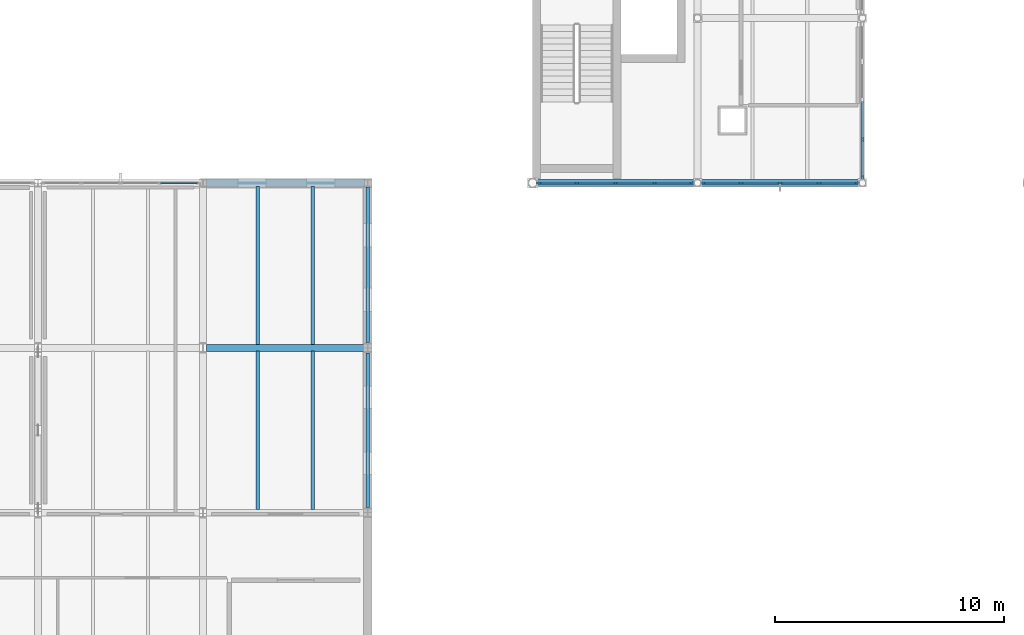
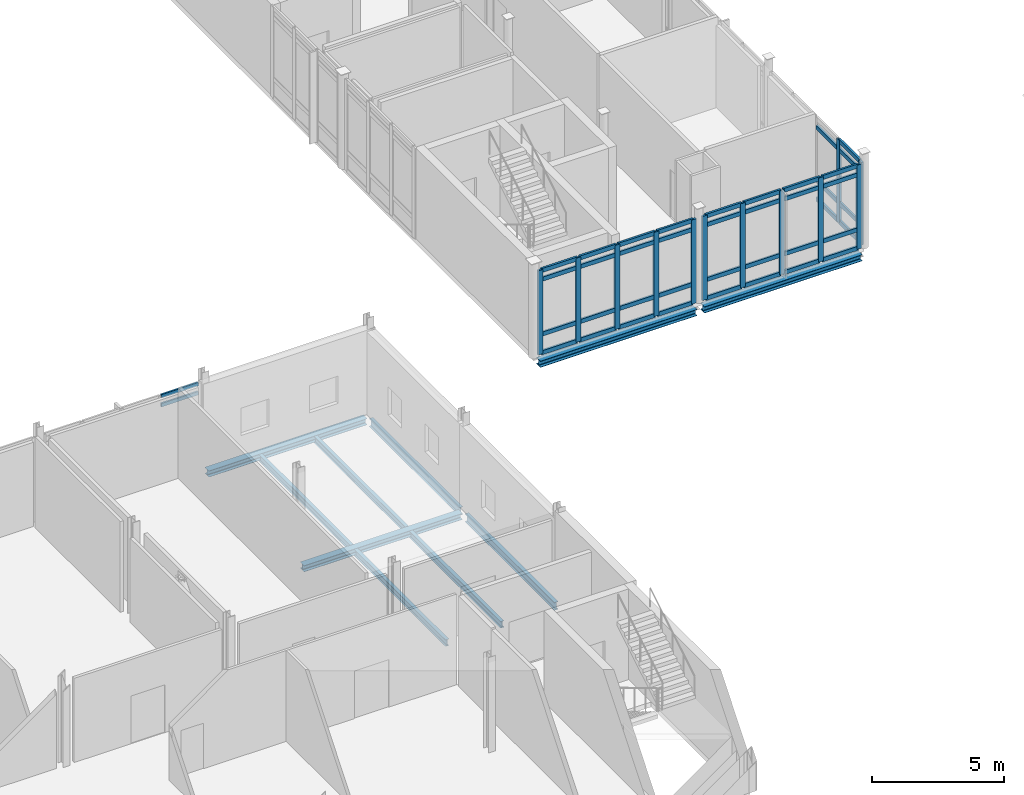
# One storey, part 22 of 76: 53 members, 10 beams, 4 elements without a shape of their own.
"""IFC4 building model written with IfcOpenShell, lengths in metres."""

from ifc_helpers import new_model, si_unit, direction, frame, origin, origin_2d, place, context, subcontext, project, spatial, rectangle, i_section, extrude, material, layer, layer_set, material_profile, profile_set, type_object, element, aggregate, save


model = new_model("IFC4")

# Units and contexts
model_context = context("Model", 3, precision=1e-05, world=origin(), true_north=direction((0.0, 1.0)))
body_context = subcontext(model_context, "Body", "Model", "MODEL_VIEW")
ifc_project = project(units=[si_unit("LENGTHUNIT", "METRE"), si_unit("AREAUNIT", "SQUARE_METRE"), si_unit("VOLUMEUNIT", "CUBIC_METRE"), si_unit("PLANEANGLEUNIT", "RADIAN"), si_unit("MASSUNIT", "GRAM", prefix="KILO")], contexts=[model_context])

# Site, building, storey
site_placement = place(None, origin())
site = spatial("IfcSite", under=ifc_project, at=site_placement, CompositionType="ELEMENT")
building_placement = place(site_placement, origin())
building = spatial("IfcBuilding", under=site, at=building_placement, Name="Zarrinpeak Specialist Clinic", CompositionType="ELEMENT")
storey_placement = place(building_placement, frame((0.0, 0.0, 5.199951171875)))
storey = spatial("IfcBuildingStorey", under=building, at=storey_placement, Name="L01", CompositionType="ELEMENT", Elevation=5.199951171875)

# Beams
ifc_material_1 = material(Name="Steel S355", Category="steel")
ifc_material_profile_1 = material_profile(ifc_material_1, i_section(OverallWidth=0.300048828125, OverallDepth=0.2900390625, WebThickness=0.008544921875, FlangeThickness=0.013916015625, FilletRadius=0.027099609375, at=origin_2d()), Name="HEA 300")
ifc_profile_set_1 = profile_set([ifc_material_profile_1], Name="Steel S355")
beam_type_1 = type_object("IfcBeamType", Name="BM-HEA300", PredefinedType="BEAM", material=ifc_profile_set_1)
for number, where, z_axis, x_axis, name in (
    (1, (79.347900390625, 21.60009765625, -0.375), (1.0, 0.0, 0.0), (0.0, 1.0, 0.0), "L01 Primary Floor Girder BM-L01-X0750"),
    (2, (79.347900390625, 28.800048828125, -0.375), (1.0, 0.0, 0.0), (0.0, 1.0, 0.0), "L01 Primary Floor Girder BM-L01-X0762"),
):
    element("IfcBeam", number, at=place(storey_placement, frame(where, z_axis=z_axis, x_axis=x_axis)), inside=storey, type_object=beam_type_1, Name=name, PredefinedType="BEAM", context=body_context, shape_type="SweptSolid", body=[
        extrude(i_section(OverallWidth=0.300048828125, OverallDepth=0.2900390625, WebThickness=0.008544921875, FlangeThickness=0.013916015625, FilletRadius=0.027099609375, at=origin_2d()), origin(), (0.0, 0.0, 1.0), 6.904052734375),
    ])
beam_1_placement = place(storey_placement, frame((93.80126953125, 28.800048828125, -0.375), z_axis=(1.0, 0.0, 0.0), x_axis=(0.0, 1.0, 0.0)))
element("IfcBeam", 3, at=beam_1_placement, inside=storey, type_object=beam_type_1, Name="L01 Primary Floor Girder BM-L01-X0763", PredefinedType="BEAM", context=body_context, shape_type="SweptSolid", body=[
    extrude(i_section(OverallWidth=0.300048828125, OverallDepth=0.2900390625, WebThickness=0.008544921875, FlangeThickness=0.013916015625, FilletRadius=0.027099609375, at=origin_2d()), origin(), (0.0, 0.0, 1.0), 6.838623046875),
])
beam_2_placement = place(storey_placement, frame((100.9599609375, 28.800048828125, -0.375), z_axis=(1.0, 0.0, 0.0), x_axis=(0.0, 1.0, 0.0)))
element("IfcBeam", 4, at=beam_2_placement, inside=storey, type_object=beam_type_1, Name="L01 Primary Floor Girder BM-L01-X0764", PredefinedType="BEAM", context=body_context, shape_type="SweptSolid", body=[
    extrude(i_section(OverallWidth=0.300048828125, OverallDepth=0.2900390625, WebThickness=0.008544921875, FlangeThickness=0.013916015625, FilletRadius=0.027099609375, at=origin_2d()), origin(), (0.0, 0.0, 1.0), 6.880126953125),
])
ifc_material_profile_2 = material_profile(ifc_material_1, i_section(OverallWidth=0.14990234375, OverallDepth=0.300048828125, WebThickness=0.007080078125, FlangeThickness=0.0107421875, FilletRadius=0.014892578125, at=origin_2d()), Name="IPE 300")
ifc_profile_set_2 = profile_set([ifc_material_profile_2], Name="Steel S355")
beam_type_2 = type_object("IfcBeamType", Name="BM-JST300", PredefinedType="JOIST", material=ifc_profile_set_2)
for number, where, z_axis, x_axis, name in (
    (5, (81.60009765625, 14.548095703125, -0.3798828125), (0.0, 1.0, 0.0), (-1.0, 0.0, 0.0), "L01 Composite Floor Joist JST-L01-1025"),
    (6, (84.0, 14.548095703125, -0.3798828125), (0.0, 1.0, 0.0), (-1.0, 0.0, 0.0), "L01 Composite Floor Joist JST-L01-1026"),
):
    element("IfcBeam", number, at=place(storey_placement, frame(where, z_axis=z_axis, x_axis=x_axis)), inside=storey, type_object=beam_type_2, Name=name, PredefinedType="JOIST", context=body_context, shape_type="SweptSolid", body=[
        extrude(i_section(OverallWidth=0.14990234375, OverallDepth=0.300048828125, WebThickness=0.007080078125, FlangeThickness=0.0107421875, FilletRadius=0.014892578125, at=origin_2d()), origin(), (0.0, 0.0, 1.0), 6.90380859375),
    ])
for number, where, z_axis, x_axis, name in (
    (7, (81.60009765625, 21.748046875, -0.3798828125), (0.0, 1.0, 0.0), (-1.0, 0.0, 0.0), "L01 Composite Floor Joist JST-L01-1027"),
    (8, (84.0, 21.748046875, -0.3798828125), (0.0, 1.0, 0.0), (-1.0, 0.0, 0.0), "L01 Composite Floor Joist JST-L01-1028"),
):
    element("IfcBeam", number, at=place(storey_placement, frame(where, z_axis=z_axis, x_axis=x_axis)), inside=storey, type_object=beam_type_2, Name=name, PredefinedType="JOIST", context=body_context, shape_type="SweptSolid", body=[
        extrude(i_section(OverallWidth=0.14990234375, OverallDepth=0.300048828125, WebThickness=0.007080078125, FlangeThickness=0.0107421875, FilletRadius=0.014892578125, at=origin_2d()), origin(), (0.0, 0.0, 1.0), 6.904052734375),
    ])
ifc_material_profile_3 = material_profile(ifc_material_1, i_section(OverallWidth=0.169921875, OverallDepth=0.360107421875, WebThickness=0.008056640625, FlangeThickness=0.0126953125, FilletRadius=0.01806640625, at=origin_2d()), Name="IPE 360")
ifc_profile_set_3 = profile_set([ifc_material_profile_3], Name="Steel S355")
beam_type_3 = type_object("IfcBeamType", Name="BM-SP360", PredefinedType="SPANDREL", material=ifc_profile_set_3)
beam_3_placement = place(storey_placement, frame((86.39990234375, 14.623046875, -0.409912109375), z_axis=(0.0, 1.0, 0.0), x_axis=(-1.0, 0.0, 0.0)))
element("IfcBeam", 9, at=beam_3_placement, inside=storey, type_object=beam_type_3, Name="L01 Perimeter Spandrel Beam BM-L01-Y0929", PredefinedType="SPANDREL", context=body_context, shape_type="SweptSolid", body=[
    extrude(i_section(OverallWidth=0.169921875, OverallDepth=0.360107421875, WebThickness=0.008056640625, FlangeThickness=0.0126953125, FilletRadius=0.01806640625, at=origin_2d()), origin(), (0.0, 0.0, 1.0), 6.75390625),
])
beam_4_placement = place(storey_placement, frame((86.39990234375, 21.822998046875, -0.409912109375), z_axis=(0.0, 1.0, 0.0), x_axis=(-1.0, 0.0, 0.0)))
element("IfcBeam", 10, at=beam_4_placement, inside=storey, type_object=beam_type_3, Name="L01 Perimeter Spandrel Beam BM-L01-Y0930", PredefinedType="SPANDREL", context=body_context, shape_type="SweptSolid", body=[
    extrude(i_section(OverallWidth=0.169921875, OverallDepth=0.360107421875, WebThickness=0.008056640625, FlangeThickness=0.0126953125, FilletRadius=0.01806640625, at=origin_2d()), origin(), (0.0, 0.0, 1.0), 6.799072265625),
])

# Curtain wall, members
ifc_material_2 = material(Name="Anodised Aluminium Alloy 6063-T6", Category="aluminium")
ifc_layer_1 = layer(ifc_material_2, 0.199951171875)
ifc_layer_set_1 = layer_set([ifc_layer_1], Name="Anodised Aluminium Alloy 6063-T6")
curtain_wall_type_1 = type_object("IfcCurtainWallType", Name="CW-HALL", PredefinedType="NOTDEFINED", material=ifc_layer_set_1)
curtain_wall_1_placement = place(storey_placement, origin())
curtain_wall_1 = element("IfcCurtainWall", 11, at=curtain_wall_1_placement, inside=storey, type_object=curtain_wall_type_1, Name="L01 V3 Unitised Curtain Wall CW-L01-V3-097", PredefinedType="NOTDEFINED")
ifc_material_profile_4 = material_profile(ifc_material_2, rectangle(XDim=0.090087890625, YDim=0.219970703125, at=origin_2d()), Name="ALU 90x220")
ifc_profile_set_4 = profile_set([ifc_material_profile_4], Name="Anodised Aluminium Alloy 6063-T6")
member_type_1 = type_object("IfcMemberType", Name="CWM-90", PredefinedType="MULLION", material=ifc_profile_set_4)
member_1_placement = place(storey_placement, frame((93.873291015625, 28.800048828125, 0.0), z_axis=(0.0, 0.0, 1.0), x_axis=(0.0, 1.0, 0.0)))
member_1 = element("IfcMember", 12, at=member_1_placement, type_object=member_type_1, Name="CW-02 mullion 1", PredefinedType="MULLION", context=body_context, shape_type="SweptSolid", body=[
    extrude(rectangle(XDim=0.090087890625, YDim=0.219970703125, at=origin_2d()), origin(), (0.0, 0.0, 1.0), 3.880126953125),
])
member_2_placement = place(storey_placement, frame((95.5244140625, 28.800048828125, 0.0), z_axis=(0.0, 0.0, 1.0), x_axis=(0.0, 1.0, 0.0)))
member_2 = element("IfcMember", 13, at=member_2_placement, type_object=member_type_1, Name="CW-02 mullion 2", PredefinedType="MULLION", context=body_context, shape_type="SweptSolid", body=[
    extrude(rectangle(XDim=0.090087890625, YDim=0.219970703125, at=origin_2d()), origin(), (0.0, 0.0, 1.0), 3.880126953125),
])
member_3_placement = place(storey_placement, frame((97.220703125, 28.800048828125, 0.0), z_axis=(0.0, 0.0, 1.0), x_axis=(0.0, 1.0, 0.0)))
member_3 = element("IfcMember", 14, at=member_3_placement, type_object=member_type_1, Name="CW-02 mullion 3", PredefinedType="MULLION", context=body_context, shape_type="SweptSolid", body=[
    extrude(rectangle(XDim=0.090087890625, YDim=0.219970703125, at=origin_2d()), origin(), (0.0, 0.0, 1.0), 3.880126953125),
])
member_4_placement = place(storey_placement, frame((98.9169921875, 28.800048828125, 0.0), z_axis=(0.0, 0.0, 1.0), x_axis=(0.0, 1.0, 0.0)))
member_4 = element("IfcMember", 15, at=member_4_placement, type_object=member_type_1, Name="CW-02 mullion 4", PredefinedType="MULLION", context=body_context, shape_type="SweptSolid", body=[
    extrude(rectangle(XDim=0.090087890625, YDim=0.219970703125, at=origin_2d()), origin(), (0.0, 0.0, 1.0), 3.880126953125),
])
member_5_placement = place(storey_placement, frame((100.568115234375, 28.800048828125, 0.0), z_axis=(0.0, 0.0, 1.0), x_axis=(0.0, 1.0, 0.0)))
member_5 = element("IfcMember", 16, at=member_5_placement, type_object=member_type_1, Name="CW-02 mullion 5", PredefinedType="MULLION", context=body_context, shape_type="SweptSolid", body=[
    extrude(rectangle(XDim=0.090087890625, YDim=0.219970703125, at=origin_2d()), origin(), (0.0, 0.0, 1.0), 3.880126953125),
])

curtain_wall_2_placement = place(storey_placement, origin())
curtain_wall_2 = element("IfcCurtainWall", 17, at=curtain_wall_2_placement, inside=storey, type_object=curtain_wall_type_1, Name="L01 V3 Unitised Curtain Wall CW-L01-V3-098", PredefinedType="NOTDEFINED")
member_6_placement = place(storey_placement, frame((101.031982421875, 28.800048828125, 0.0), z_axis=(0.0, 0.0, 1.0), x_axis=(0.0, 1.0, 0.0)))
member_6 = element("IfcMember", 18, at=member_6_placement, type_object=member_type_1, Name="CW-02 mullion 1", PredefinedType="MULLION", context=body_context, shape_type="SweptSolid", body=[
    extrude(rectangle(XDim=0.090087890625, YDim=0.219970703125, at=origin_2d()), origin(), (0.0, 0.0, 1.0), 3.880126953125),
])
member_7_placement = place(storey_placement, frame((102.693359375, 28.800048828125, 0.0), z_axis=(0.0, 0.0, 1.0), x_axis=(0.0, 1.0, 0.0)))
member_7 = element("IfcMember", 19, at=member_7_placement, type_object=member_type_1, Name="CW-02 mullion 2", PredefinedType="MULLION", context=body_context, shape_type="SweptSolid", body=[
    extrude(rectangle(XDim=0.090087890625, YDim=0.219970703125, at=origin_2d()), origin(), (0.0, 0.0, 1.0), 3.880126953125),
])
member_8_placement = place(storey_placement, frame((104.39990234375, 28.800048828125, 0.0), z_axis=(0.0, 0.0, 1.0), x_axis=(0.0, 1.0, 0.0)))
member_8 = element("IfcMember", 20, at=member_8_placement, type_object=member_type_1, Name="CW-02 mullion 3", PredefinedType="MULLION", context=body_context, shape_type="SweptSolid", body=[
    extrude(rectangle(XDim=0.090087890625, YDim=0.219970703125, at=origin_2d()), origin(), (0.0, 0.0, 1.0), 3.880126953125),
])
member_9_placement = place(storey_placement, frame((106.1064453125, 28.800048828125, 0.0), z_axis=(0.0, 0.0, 1.0), x_axis=(0.0, 1.0, 0.0)))
member_9 = element("IfcMember", 21, at=member_9_placement, type_object=member_type_1, Name="CW-02 mullion 4", PredefinedType="MULLION", context=body_context, shape_type="SweptSolid", body=[
    extrude(rectangle(XDim=0.090087890625, YDim=0.219970703125, at=origin_2d()), origin(), (0.0, 0.0, 1.0), 3.880126953125),
])
member_10_placement = place(storey_placement, frame((107.76806640625, 28.800048828125, 0.0), z_axis=(0.0, 0.0, 1.0), x_axis=(0.0, 1.0, 0.0)))
member_10 = element("IfcMember", 22, at=member_10_placement, type_object=member_type_1, Name="CW-02 mullion 5", PredefinedType="MULLION", context=body_context, shape_type="SweptSolid", body=[
    extrude(rectangle(XDim=0.090087890625, YDim=0.219970703125, at=origin_2d()), origin(), (0.0, 0.0, 1.0), 3.880126953125),
])

curtain_wall_3_placement = place(storey_placement, origin())
curtain_wall_3 = element("IfcCurtainWall", 23, at=curtain_wall_3_placement, inside=storey, type_object=curtain_wall_type_1, Name="L01 V3 Unitised Curtain Wall CW-L01-V3-105", PredefinedType="NOTDEFINED")
member_11_placement = place(storey_placement, frame((108.0, 29.031982421875, 0.0), z_axis=(0.0, 0.0, 1.0), x_axis=(-1.0, 0.0, 0.0)))
member_11 = element("IfcMember", 24, at=member_11_placement, type_object=member_type_1, Name="CW-02 mullion 1", PredefinedType="MULLION", context=body_context, shape_type="SweptSolid", body=[
    extrude(rectangle(XDim=0.090087890625, YDim=0.219970703125, at=origin_2d()), origin(), (0.0, 0.0, 1.0), 3.81005859375),
])
member_12_placement = place(storey_placement, frame((108.0, 30.693603515625, 0.0), z_axis=(0.0, 0.0, 1.0), x_axis=(-1.0, 0.0, 0.0)))
member_12 = element("IfcMember", 25, at=member_12_placement, type_object=member_type_1, Name="CW-02 mullion 2", PredefinedType="MULLION", context=body_context, shape_type="SweptSolid", body=[
    extrude(rectangle(XDim=0.090087890625, YDim=0.219970703125, at=origin_2d()), origin(), (0.0, 0.0, 1.0), 3.81005859375),
])

ifc_layer_2 = layer(ifc_material_2, 0.179931640625)
ifc_layer_set_2 = layer_set([ifc_layer_2], Name="Anodised Aluminium Alloy 6063-T6")
curtain_wall_type_2 = type_object("IfcCurtainWallType", Name="CW-COURT", PredefinedType="NOTDEFINED", material=ifc_layer_set_2)
curtain_wall_4_placement = place(storey_placement, origin())
curtain_wall_4 = element("IfcCurtainWall", 26, at=curtain_wall_4_placement, inside=storey, type_object=curtain_wall_type_2, Name="L01 V4 Unitised Curtain Wall CW-L01-V4-072", PredefinedType="NOTDEFINED")
ifc_material_profile_5 = material_profile(ifc_material_2, rectangle(XDim=0.074951171875, YDim=0.159912109375, at=origin_2d()), Name="ALU 75x160")
ifc_profile_set_5 = profile_set([ifc_material_profile_5], Name="Anodised Aluminium Alloy 6063-T6")
member_type_2 = type_object("IfcMemberType", Name="CWT-75", PredefinedType="USERDEFINED", material=ifc_profile_set_5)
member_13_placement = place(storey_placement, frame((78.949951171875, 28.800048828125, 3.429931640625), z_axis=(-1.0, 0.0, 0.0), x_axis=(0.0, -1.0, 0.0)))
member_13 = element("IfcMember", 27, at=member_13_placement, type_object=member_type_2, Name="CW-01 transom 1.3", ObjectType="TRANSOM", PredefinedType="USERDEFINED", context=body_context, shape_type="SweptSolid", body=[
    extrude(rectangle(XDim=0.074951171875, YDim=0.159912109375, at=origin_2d()), origin(), (0.0, 0.0, 1.0), 1.599853515625),
])
member_14_placement = place(storey_placement, frame((78.949951171875, 28.800048828125, 3.842529296875), z_axis=(-1.0, 0.0, 0.0), x_axis=(0.0, -1.0, 0.0)))
member_14 = element("IfcMember", 28, at=member_14_placement, type_object=member_type_2, Name="CW-01 transom 1.4", ObjectType="TRANSOM", PredefinedType="USERDEFINED", context=body_context, shape_type="SweptSolid", body=[
    extrude(rectangle(XDim=0.074951171875, YDim=0.159912109375, at=origin_2d()), origin(), (0.0, 0.0, 1.0), 1.599853515625),
])
aggregate(curtain_wall_4, [member_13, member_14])

# Member
ifc_material_profile_6 = material_profile(ifc_material_2, rectangle(XDim=0.090087890625, YDim=0.18994140625, at=origin_2d()), Name="ALU 90x190")
ifc_profile_set_6 = profile_set([ifc_material_profile_6], Name="Anodised Aluminium Alloy 6063-T6")
member_type_3 = type_object("IfcMemberType", Name="CWT-90", PredefinedType="USERDEFINED", material=ifc_profile_set_6)
member_15_placement = place(storey_placement, frame((93.918212890625, 28.800048828125, 0.045166015625), z_axis=(1.0, 0.0, 0.0), x_axis=(0.0, 1.0, 0.0)))
member_15 = element("IfcMember", 29, at=member_15_placement, type_object=member_type_3, Name="CW-02 transom 1.1", ObjectType="TRANSOM", PredefinedType="USERDEFINED", context=body_context, shape_type="SweptSolid", body=[
    extrude(rectangle(XDim=0.090087890625, YDim=0.18994140625, at=origin_2d()), origin(), (0.0, 0.0, 1.0), 1.561279296875),
])

member_16_placement = place(storey_placement, frame((93.918212890625, 28.800048828125, 0.900146484375), z_axis=(1.0, 0.0, 0.0), x_axis=(0.0, 1.0, 0.0)))
member_16 = element("IfcMember", 30, at=member_16_placement, type_object=member_type_3, Name="CW-02 transom 1.2", ObjectType="TRANSOM", PredefinedType="USERDEFINED", context=body_context, shape_type="SweptSolid", body=[
    extrude(rectangle(XDim=0.090087890625, YDim=0.18994140625, at=origin_2d()), origin(), (0.0, 0.0, 1.0), 1.561279296875),
])

member_17_placement = place(storey_placement, frame((93.918212890625, 28.800048828125, 3.429931640625), z_axis=(1.0, 0.0, 0.0), x_axis=(0.0, 1.0, 0.0)))
member_17 = element("IfcMember", 31, at=member_17_placement, type_object=member_type_3, Name="CW-02 transom 1.3", ObjectType="TRANSOM", PredefinedType="USERDEFINED", context=body_context, shape_type="SweptSolid", body=[
    extrude(rectangle(XDim=0.090087890625, YDim=0.18994140625, at=origin_2d()), origin(), (0.0, 0.0, 1.0), 1.561279296875),
])

member_18_placement = place(storey_placement, frame((93.918212890625, 28.800048828125, 3.8349609375), z_axis=(1.0, 0.0, 0.0), x_axis=(0.0, 1.0, 0.0)))
member_18 = element("IfcMember", 32, at=member_18_placement, type_object=member_type_3, Name="CW-02 transom 1.4", ObjectType="TRANSOM", PredefinedType="USERDEFINED", context=body_context, shape_type="SweptSolid", body=[
    extrude(rectangle(XDim=0.090087890625, YDim=0.18994140625, at=origin_2d()), origin(), (0.0, 0.0, 1.0), 1.561279296875),
])

member_19_placement = place(storey_placement, frame((95.5693359375, 28.800048828125, 0.045166015625), z_axis=(1.0, 0.0, 0.0), x_axis=(0.0, 1.0, 0.0)))
member_19 = element("IfcMember", 33, at=member_19_placement, type_object=member_type_3, Name="CW-02 transom 2.1", ObjectType="TRANSOM", PredefinedType="USERDEFINED", context=body_context, shape_type="SweptSolid", body=[
    extrude(rectangle(XDim=0.090087890625, YDim=0.18994140625, at=origin_2d()), origin(), (0.0, 0.0, 1.0), 1.606201171875),
])

member_20_placement = place(storey_placement, frame((95.5693359375, 28.800048828125, 0.900146484375), z_axis=(1.0, 0.0, 0.0), x_axis=(0.0, 1.0, 0.0)))
member_20 = element("IfcMember", 34, at=member_20_placement, type_object=member_type_3, Name="CW-02 transom 2.2", ObjectType="TRANSOM", PredefinedType="USERDEFINED", context=body_context, shape_type="SweptSolid", body=[
    extrude(rectangle(XDim=0.090087890625, YDim=0.18994140625, at=origin_2d()), origin(), (0.0, 0.0, 1.0), 1.606201171875),
])

member_21_placement = place(storey_placement, frame((95.5693359375, 28.800048828125, 3.429931640625), z_axis=(1.0, 0.0, 0.0), x_axis=(0.0, 1.0, 0.0)))
member_21 = element("IfcMember", 35, at=member_21_placement, type_object=member_type_3, Name="CW-02 transom 2.3", ObjectType="TRANSOM", PredefinedType="USERDEFINED", context=body_context, shape_type="SweptSolid", body=[
    extrude(rectangle(XDim=0.090087890625, YDim=0.18994140625, at=origin_2d()), origin(), (0.0, 0.0, 1.0), 1.606201171875),
])

member_22_placement = place(storey_placement, frame((95.5693359375, 28.800048828125, 3.8349609375), z_axis=(1.0, 0.0, 0.0), x_axis=(0.0, 1.0, 0.0)))
member_22 = element("IfcMember", 36, at=member_22_placement, type_object=member_type_3, Name="CW-02 transom 2.4", ObjectType="TRANSOM", PredefinedType="USERDEFINED", context=body_context, shape_type="SweptSolid", body=[
    extrude(rectangle(XDim=0.090087890625, YDim=0.18994140625, at=origin_2d()), origin(), (0.0, 0.0, 1.0), 1.606201171875),
])

member_23_placement = place(storey_placement, frame((97.265625, 28.800048828125, 0.045166015625), z_axis=(1.0, 0.0, 0.0), x_axis=(0.0, 1.0, 0.0)))
member_23 = element("IfcMember", 37, at=member_23_placement, type_object=member_type_3, Name="CW-02 transom 3.1", ObjectType="TRANSOM", PredefinedType="USERDEFINED", context=body_context, shape_type="SweptSolid", body=[
    extrude(rectangle(XDim=0.090087890625, YDim=0.18994140625, at=origin_2d()), origin(), (0.0, 0.0, 1.0), 1.606201171875),
])

member_24_placement = place(storey_placement, frame((97.265625, 28.800048828125, 0.900146484375), z_axis=(1.0, 0.0, 0.0), x_axis=(0.0, 1.0, 0.0)))
member_24 = element("IfcMember", 38, at=member_24_placement, type_object=member_type_3, Name="CW-02 transom 3.2", ObjectType="TRANSOM", PredefinedType="USERDEFINED", context=body_context, shape_type="SweptSolid", body=[
    extrude(rectangle(XDim=0.090087890625, YDim=0.18994140625, at=origin_2d()), origin(), (0.0, 0.0, 1.0), 1.606201171875),
])

member_25_placement = place(storey_placement, frame((97.265625, 28.800048828125, 3.429931640625), z_axis=(1.0, 0.0, 0.0), x_axis=(0.0, 1.0, 0.0)))
member_25 = element("IfcMember", 39, at=member_25_placement, type_object=member_type_3, Name="CW-02 transom 3.3", ObjectType="TRANSOM", PredefinedType="USERDEFINED", context=body_context, shape_type="SweptSolid", body=[
    extrude(rectangle(XDim=0.090087890625, YDim=0.18994140625, at=origin_2d()), origin(), (0.0, 0.0, 1.0), 1.606201171875),
])

member_26_placement = place(storey_placement, frame((97.265625, 28.800048828125, 3.8349609375), z_axis=(1.0, 0.0, 0.0), x_axis=(0.0, 1.0, 0.0)))
member_26 = element("IfcMember", 40, at=member_26_placement, type_object=member_type_3, Name="CW-02 transom 3.4", ObjectType="TRANSOM", PredefinedType="USERDEFINED", context=body_context, shape_type="SweptSolid", body=[
    extrude(rectangle(XDim=0.090087890625, YDim=0.18994140625, at=origin_2d()), origin(), (0.0, 0.0, 1.0), 1.606201171875),
])

member_27_placement = place(storey_placement, frame((98.9619140625, 28.800048828125, 0.045166015625), z_axis=(1.0, 0.0, 0.0), x_axis=(0.0, 1.0, 0.0)))
member_27 = element("IfcMember", 41, at=member_27_placement, type_object=member_type_3, Name="CW-02 transom 4.1", ObjectType="TRANSOM", PredefinedType="USERDEFINED", context=body_context, shape_type="SweptSolid", body=[
    extrude(rectangle(XDim=0.090087890625, YDim=0.18994140625, at=origin_2d()), origin(), (0.0, 0.0, 1.0), 1.561279296875),
])

member_28_placement = place(storey_placement, frame((98.9619140625, 28.800048828125, 0.900146484375), z_axis=(1.0, 0.0, 0.0), x_axis=(0.0, 1.0, 0.0)))
member_28 = element("IfcMember", 42, at=member_28_placement, type_object=member_type_3, Name="CW-02 transom 4.2", ObjectType="TRANSOM", PredefinedType="USERDEFINED", context=body_context, shape_type="SweptSolid", body=[
    extrude(rectangle(XDim=0.090087890625, YDim=0.18994140625, at=origin_2d()), origin(), (0.0, 0.0, 1.0), 1.561279296875),
])

member_29_placement = place(storey_placement, frame((98.9619140625, 28.800048828125, 3.429931640625), z_axis=(1.0, 0.0, 0.0), x_axis=(0.0, 1.0, 0.0)))
member_29 = element("IfcMember", 43, at=member_29_placement, type_object=member_type_3, Name="CW-02 transom 4.3", ObjectType="TRANSOM", PredefinedType="USERDEFINED", context=body_context, shape_type="SweptSolid", body=[
    extrude(rectangle(XDim=0.090087890625, YDim=0.18994140625, at=origin_2d()), origin(), (0.0, 0.0, 1.0), 1.561279296875),
])

member_30_placement = place(storey_placement, frame((98.9619140625, 28.800048828125, 3.8349609375), z_axis=(1.0, 0.0, 0.0), x_axis=(0.0, 1.0, 0.0)))
member_30 = element("IfcMember", 44, at=member_30_placement, type_object=member_type_3, Name="CW-02 transom 4.4", ObjectType="TRANSOM", PredefinedType="USERDEFINED", context=body_context, shape_type="SweptSolid", body=[
    extrude(rectangle(XDim=0.090087890625, YDim=0.18994140625, at=origin_2d()), origin(), (0.0, 0.0, 1.0), 1.561279296875),
])

aggregate(curtain_wall_1, [member_1, member_2, member_3, member_4, member_5, member_15, member_16, member_17, member_18, member_19, member_20, member_21, member_22, member_23, member_24, member_25, member_26, member_27, member_28, member_29, member_30])

member_31_placement = place(storey_placement, frame((101.076904296875, 28.800048828125, 0.045166015625), z_axis=(1.0, 0.0, 0.0), x_axis=(0.0, 1.0, 0.0)))
member_31 = element("IfcMember", 45, at=member_31_placement, type_object=member_type_3, Name="CW-02 transom 1.1", ObjectType="TRANSOM", PredefinedType="USERDEFINED", context=body_context, shape_type="SweptSolid", body=[
    extrude(rectangle(XDim=0.090087890625, YDim=0.18994140625, at=origin_2d()), origin(), (0.0, 0.0, 1.0), 1.571533203125),
])

member_32_placement = place(storey_placement, frame((101.076904296875, 28.800048828125, 0.900146484375), z_axis=(1.0, 0.0, 0.0), x_axis=(0.0, 1.0, 0.0)))
member_32 = element("IfcMember", 46, at=member_32_placement, type_object=member_type_3, Name="CW-02 transom 1.2", ObjectType="TRANSOM", PredefinedType="USERDEFINED", context=body_context, shape_type="SweptSolid", body=[
    extrude(rectangle(XDim=0.090087890625, YDim=0.18994140625, at=origin_2d()), origin(), (0.0, 0.0, 1.0), 1.571533203125),
])

member_33_placement = place(storey_placement, frame((101.076904296875, 28.800048828125, 3.429931640625), z_axis=(1.0, 0.0, 0.0), x_axis=(0.0, 1.0, 0.0)))
member_33 = element("IfcMember", 47, at=member_33_placement, type_object=member_type_3, Name="CW-02 transom 1.3", ObjectType="TRANSOM", PredefinedType="USERDEFINED", context=body_context, shape_type="SweptSolid", body=[
    extrude(rectangle(XDim=0.090087890625, YDim=0.18994140625, at=origin_2d()), origin(), (0.0, 0.0, 1.0), 1.571533203125),
])

member_34_placement = place(storey_placement, frame((101.076904296875, 28.800048828125, 3.8349609375), z_axis=(1.0, 0.0, 0.0), x_axis=(0.0, 1.0, 0.0)))
member_34 = element("IfcMember", 48, at=member_34_placement, type_object=member_type_3, Name="CW-02 transom 1.4", ObjectType="TRANSOM", PredefinedType="USERDEFINED", context=body_context, shape_type="SweptSolid", body=[
    extrude(rectangle(XDim=0.090087890625, YDim=0.18994140625, at=origin_2d()), origin(), (0.0, 0.0, 1.0), 1.571533203125),
])

member_35_placement = place(storey_placement, frame((102.738525390625, 28.800048828125, 0.045166015625), z_axis=(1.0, 0.0, 0.0), x_axis=(0.0, 1.0, 0.0)))
member_35 = element("IfcMember", 49, at=member_35_placement, type_object=member_type_3, Name="CW-02 transom 2.1", ObjectType="TRANSOM", PredefinedType="USERDEFINED", context=body_context, shape_type="SweptSolid", body=[
    extrude(rectangle(XDim=0.090087890625, YDim=0.18994140625, at=origin_2d()), origin(), (0.0, 0.0, 1.0), 1.616455078125),
])

member_36_placement = place(storey_placement, frame((102.738525390625, 28.800048828125, 0.900146484375), z_axis=(1.0, 0.0, 0.0), x_axis=(0.0, 1.0, 0.0)))
member_36 = element("IfcMember", 50, at=member_36_placement, type_object=member_type_3, Name="CW-02 transom 2.2", ObjectType="TRANSOM", PredefinedType="USERDEFINED", context=body_context, shape_type="SweptSolid", body=[
    extrude(rectangle(XDim=0.090087890625, YDim=0.18994140625, at=origin_2d()), origin(), (0.0, 0.0, 1.0), 1.616455078125),
])

member_37_placement = place(storey_placement, frame((102.738525390625, 28.800048828125, 3.429931640625), z_axis=(1.0, 0.0, 0.0), x_axis=(0.0, 1.0, 0.0)))
member_37 = element("IfcMember", 51, at=member_37_placement, type_object=member_type_3, Name="CW-02 transom 2.3", ObjectType="TRANSOM", PredefinedType="USERDEFINED", context=body_context, shape_type="SweptSolid", body=[
    extrude(rectangle(XDim=0.090087890625, YDim=0.18994140625, at=origin_2d()), origin(), (0.0, 0.0, 1.0), 1.616455078125),
])

member_38_placement = place(storey_placement, frame((102.738525390625, 28.800048828125, 3.8349609375), z_axis=(1.0, 0.0, 0.0), x_axis=(0.0, 1.0, 0.0)))
member_38 = element("IfcMember", 52, at=member_38_placement, type_object=member_type_3, Name="CW-02 transom 2.4", ObjectType="TRANSOM", PredefinedType="USERDEFINED", context=body_context, shape_type="SweptSolid", body=[
    extrude(rectangle(XDim=0.090087890625, YDim=0.18994140625, at=origin_2d()), origin(), (0.0, 0.0, 1.0), 1.616455078125),
])

member_39_placement = place(storey_placement, frame((104.445068359375, 28.800048828125, 0.045166015625), z_axis=(1.0, 0.0, 0.0), x_axis=(0.0, 1.0, 0.0)))
member_39 = element("IfcMember", 53, at=member_39_placement, type_object=member_type_3, Name="CW-02 transom 3.1", ObjectType="TRANSOM", PredefinedType="USERDEFINED", context=body_context, shape_type="SweptSolid", body=[
    extrude(rectangle(XDim=0.090087890625, YDim=0.18994140625, at=origin_2d()), origin(), (0.0, 0.0, 1.0), 1.616455078125),
])

member_40_placement = place(storey_placement, frame((104.445068359375, 28.800048828125, 0.900146484375), z_axis=(1.0, 0.0, 0.0), x_axis=(0.0, 1.0, 0.0)))
member_40 = element("IfcMember", 54, at=member_40_placement, type_object=member_type_3, Name="CW-02 transom 3.2", ObjectType="TRANSOM", PredefinedType="USERDEFINED", context=body_context, shape_type="SweptSolid", body=[
    extrude(rectangle(XDim=0.090087890625, YDim=0.18994140625, at=origin_2d()), origin(), (0.0, 0.0, 1.0), 1.616455078125),
])

member_41_placement = place(storey_placement, frame((104.445068359375, 28.800048828125, 3.429931640625), z_axis=(1.0, 0.0, 0.0), x_axis=(0.0, 1.0, 0.0)))
member_41 = element("IfcMember", 55, at=member_41_placement, type_object=member_type_3, Name="CW-02 transom 3.3", ObjectType="TRANSOM", PredefinedType="USERDEFINED", context=body_context, shape_type="SweptSolid", body=[
    extrude(rectangle(XDim=0.090087890625, YDim=0.18994140625, at=origin_2d()), origin(), (0.0, 0.0, 1.0), 1.616455078125),
])

member_42_placement = place(storey_placement, frame((104.445068359375, 28.800048828125, 3.8349609375), z_axis=(1.0, 0.0, 0.0), x_axis=(0.0, 1.0, 0.0)))
member_42 = element("IfcMember", 56, at=member_42_placement, type_object=member_type_3, Name="CW-02 transom 3.4", ObjectType="TRANSOM", PredefinedType="USERDEFINED", context=body_context, shape_type="SweptSolid", body=[
    extrude(rectangle(XDim=0.090087890625, YDim=0.18994140625, at=origin_2d()), origin(), (0.0, 0.0, 1.0), 1.616455078125),
])

member_43_placement = place(storey_placement, frame((106.151611328125, 28.800048828125, 0.045166015625), z_axis=(1.0, 0.0, 0.0), x_axis=(0.0, 1.0, 0.0)))
member_43 = element("IfcMember", 57, at=member_43_placement, type_object=member_type_3, Name="CW-02 transom 4.1", ObjectType="TRANSOM", PredefinedType="USERDEFINED", context=body_context, shape_type="SweptSolid", body=[
    extrude(rectangle(XDim=0.090087890625, YDim=0.18994140625, at=origin_2d()), origin(), (0.0, 0.0, 1.0), 1.571533203125),
])

member_44_placement = place(storey_placement, frame((106.151611328125, 28.800048828125, 0.900146484375), z_axis=(1.0, 0.0, 0.0), x_axis=(0.0, 1.0, 0.0)))
member_44 = element("IfcMember", 58, at=member_44_placement, type_object=member_type_3, Name="CW-02 transom 4.2", ObjectType="TRANSOM", PredefinedType="USERDEFINED", context=body_context, shape_type="SweptSolid", body=[
    extrude(rectangle(XDim=0.090087890625, YDim=0.18994140625, at=origin_2d()), origin(), (0.0, 0.0, 1.0), 1.571533203125),
])

member_45_placement = place(storey_placement, frame((106.151611328125, 28.800048828125, 3.429931640625), z_axis=(1.0, 0.0, 0.0), x_axis=(0.0, 1.0, 0.0)))
member_45 = element("IfcMember", 59, at=member_45_placement, type_object=member_type_3, Name="CW-02 transom 4.3", ObjectType="TRANSOM", PredefinedType="USERDEFINED", context=body_context, shape_type="SweptSolid", body=[
    extrude(rectangle(XDim=0.090087890625, YDim=0.18994140625, at=origin_2d()), origin(), (0.0, 0.0, 1.0), 1.571533203125),
])

member_46_placement = place(storey_placement, frame((106.151611328125, 28.800048828125, 3.8349609375), z_axis=(1.0, 0.0, 0.0), x_axis=(0.0, 1.0, 0.0)))
member_46 = element("IfcMember", 60, at=member_46_placement, type_object=member_type_3, Name="CW-02 transom 4.4", ObjectType="TRANSOM", PredefinedType="USERDEFINED", context=body_context, shape_type="SweptSolid", body=[
    extrude(rectangle(XDim=0.090087890625, YDim=0.18994140625, at=origin_2d()), origin(), (0.0, 0.0, 1.0), 1.571533203125),
])

aggregate(curtain_wall_2, [member_6, member_7, member_8, member_9, member_10, member_31, member_32, member_33, member_34, member_35, member_36, member_37, member_38, member_39, member_40, member_41, member_42, member_43, member_44, member_45, member_46])

member_47_placement = place(storey_placement, frame((108.0, 29.076904296875, 0.045166015625), z_axis=(0.0, 1.0, 0.0), x_axis=(-1.0, 0.0, 0.0)))
member_47 = element("IfcMember", 61, at=member_47_placement, type_object=member_type_3, Name="CW-02 transom 1.1", ObjectType="TRANSOM", PredefinedType="USERDEFINED", context=body_context, shape_type="SweptSolid", body=[
    extrude(rectangle(XDim=0.090087890625, YDim=0.18994140625, at=origin_2d()), origin(), (0.0, 0.0, 1.0), 1.571533203125),
])

member_48_placement = place(storey_placement, frame((108.0, 29.076904296875, 0.900146484375), z_axis=(0.0, 1.0, 0.0), x_axis=(-1.0, 0.0, 0.0)))
member_48 = element("IfcMember", 62, at=member_48_placement, type_object=member_type_3, Name="CW-02 transom 1.2", ObjectType="TRANSOM", PredefinedType="USERDEFINED", context=body_context, shape_type="SweptSolid", body=[
    extrude(rectangle(XDim=0.090087890625, YDim=0.18994140625, at=origin_2d()), origin(), (0.0, 0.0, 1.0), 1.571533203125),
])

member_49_placement = place(storey_placement, frame((108.0, 29.076904296875, 3.360107421875), z_axis=(0.0, 1.0, 0.0), x_axis=(-1.0, 0.0, 0.0)))
member_49 = element("IfcMember", 63, at=member_49_placement, type_object=member_type_3, Name="CW-02 transom 1.3", ObjectType="TRANSOM", PredefinedType="USERDEFINED", context=body_context, shape_type="SweptSolid", body=[
    extrude(rectangle(XDim=0.090087890625, YDim=0.18994140625, at=origin_2d()), origin(), (0.0, 0.0, 1.0), 1.571533203125),
])

member_50_placement = place(storey_placement, frame((108.0, 29.076904296875, 3.76513671875), z_axis=(0.0, 1.0, 0.0), x_axis=(-1.0, 0.0, 0.0)))
member_50 = element("IfcMember", 64, at=member_50_placement, type_object=member_type_3, Name="CW-02 transom 1.4", ObjectType="TRANSOM", PredefinedType="USERDEFINED", context=body_context, shape_type="SweptSolid", body=[
    extrude(rectangle(XDim=0.090087890625, YDim=0.18994140625, at=origin_2d()), origin(), (0.0, 0.0, 1.0), 1.571533203125),
])

member_51_placement = place(storey_placement, frame((108.0, 30.738525390625, 0.045166015625), z_axis=(0.0, 1.0, 0.0), x_axis=(-1.0, 0.0, 0.0)))
member_51 = element("IfcMember", 65, at=member_51_placement, type_object=member_type_3, Name="CW-02 transom 2.1", ObjectType="TRANSOM", PredefinedType="USERDEFINED", context=body_context, shape_type="SweptSolid", body=[
    extrude(rectangle(XDim=0.090087890625, YDim=0.18994140625, at=origin_2d()), origin(), (0.0, 0.0, 1.0), 1.616455078125),
])

member_52_placement = place(storey_placement, frame((108.0, 30.738525390625, 0.900146484375), z_axis=(0.0, 1.0, 0.0), x_axis=(-1.0, 0.0, 0.0)))
member_52 = element("IfcMember", 66, at=member_52_placement, type_object=member_type_3, Name="CW-02 transom 2.2", ObjectType="TRANSOM", PredefinedType="USERDEFINED", context=body_context, shape_type="SweptSolid", body=[
    extrude(rectangle(XDim=0.090087890625, YDim=0.18994140625, at=origin_2d()), origin(), (0.0, 0.0, 1.0), 1.616455078125),
])

member_53_placement = place(storey_placement, frame((108.0, 30.738525390625, 3.360107421875), z_axis=(0.0, 1.0, 0.0), x_axis=(-1.0, 0.0, 0.0)))
member_53 = element("IfcMember", 67, at=member_53_placement, type_object=member_type_3, Name="CW-02 transom 2.3", ObjectType="TRANSOM", PredefinedType="USERDEFINED", context=body_context, shape_type="SweptSolid", body=[
    extrude(rectangle(XDim=0.090087890625, YDim=0.18994140625, at=origin_2d()), origin(), (0.0, 0.0, 1.0), 1.616455078125),
])

aggregate(curtain_wall_3, [member_11, member_12, member_47, member_48, member_49, member_50, member_51, member_52, member_53])

save(model, "model.ifc")
